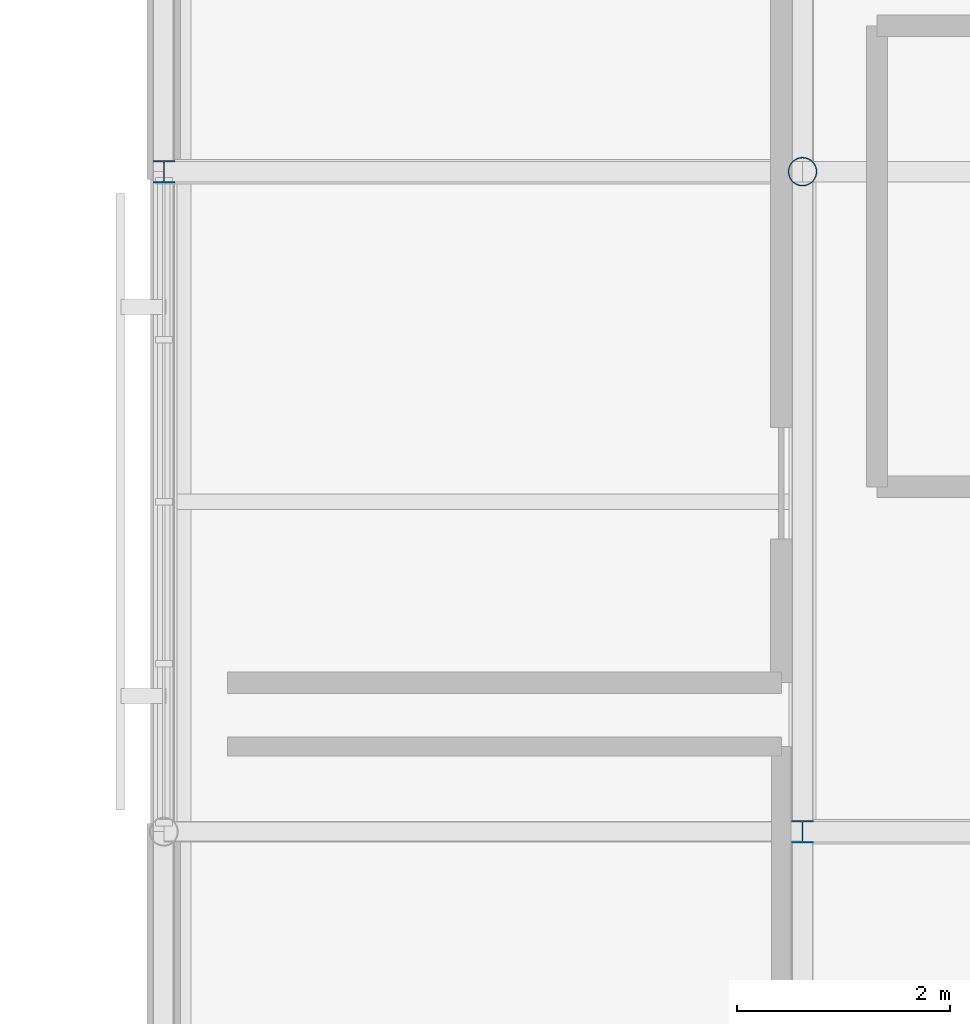
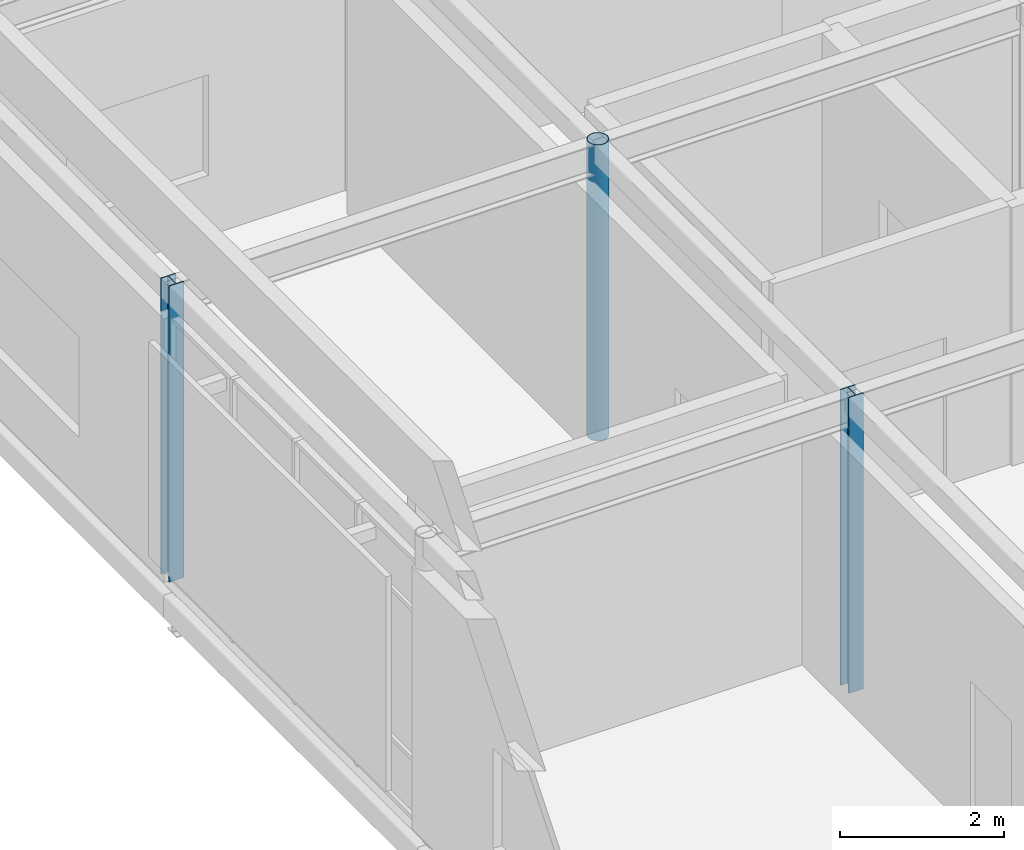
# One storey, part 2 of 16: 3 columns.
"""IFC4 building model written with IfcOpenShell, lengths in metres."""

from ifc_helpers import new_model, si_unit, direction, frame, origin, origin_2d, place, context, subcontext, project, spatial, hollow_circle, i_section, extrude, material, material_profile, profile_set, type_object, element, save


model = new_model("IFC4")

# Units and contexts
model_context = context("Model", 3, precision=1e-05, world=origin(), true_north=direction((0.0, 1.0)))
body_context = subcontext(model_context, "Body", "Model", "MODEL_VIEW")
ifc_project = project(units=[si_unit("LENGTHUNIT", "METRE"), si_unit("AREAUNIT", "SQUARE_METRE"), si_unit("VOLUMEUNIT", "CUBIC_METRE"), si_unit("PLANEANGLEUNIT", "RADIAN"), si_unit("MASSUNIT", "GRAM", prefix="KILO")], contexts=[model_context])

# Site, building, storey
site_placement = place(None, origin())
site = spatial("IfcSite", under=ifc_project, at=site_placement, CompositionType="ELEMENT")
building_placement = place(site_placement, origin())
building = spatial("IfcBuilding", under=site, at=building_placement, Name="Mirzam Square Science Centre", CompositionType="ELEMENT")
storey_placement = place(building_placement, frame((0.0, 0.0, 25.199951171875)))
storey = spatial("IfcBuildingStorey", under=building, at=storey_placement, Name="L05", CompositionType="ELEMENT", Elevation=25.199951171875)

# Columns
ifc_material = material(Name="Steel S355", Category="steel")
ifc_material_profile_1 = material_profile(ifc_material, hollow_circle(Radius=0.136474609375, WallThickness=0.010009765625, at=origin_2d()), Name="273.0x10.0CHS")
ifc_profile_set_1 = profile_set([ifc_material_profile_1], Name="Steel S355")
column_type_1 = type_object("IfcColumnType", Name="COL-CHS273", PredefinedType="COLUMN", material=ifc_profile_set_1)
column_placement = place(storey_placement, frame((120.0, 105.39990234375, 0.0), z_axis=(0.0, 0.0, 1.0), x_axis=(1.0, 0.0, 0.0)))
element("IfcColumn", 1, at=column_placement, inside=storey, type_object=column_type_1, Name="L05 column G21-18", PredefinedType="COLUMN", context=body_context, shape_type="SweptSolid", body=[
    extrude(hollow_circle(Radius=0.136474609375, WallThickness=0.010009765625, at=origin_2d()), origin(), (0.0, 0.0, 1.0), 4.41015625),
])
ifc_material_profile_2 = material_profile(ifc_material, i_section(OverallWidth=0.205810546875, OverallDepth=0.209716796875, WebThickness=0.009521484375, FlangeThickness=0.01416015625, FilletRadius=0.01025390625, at=origin_2d()), Name="203x203x60UC")
ifc_profile_set_2 = profile_set([ifc_material_profile_2], Name="Steel S355")
column_type_2 = type_object("IfcColumnType", Name="COL-UC203A", PredefinedType="COLUMN", material=ifc_profile_set_2)
for number, where, z_axis, x_axis, name in (
    (2, (114.0, 105.39990234375, 0.0), (0.0, 0.0, 1.0), (1.0, 0.0, 0.0), "L05 column G20-18"),
    (3, (120.0, 99.199951171875, 0.0), (0.0, 0.0, 1.0), (1.0, 0.0, 0.0), "L05 column G21-17"),
):
    element("IfcColumn", number, at=place(storey_placement, frame(where, z_axis=z_axis, x_axis=x_axis)), inside=storey, type_object=column_type_2, Name=name, PredefinedType="COLUMN", context=body_context, shape_type="SweptSolid", body=[
        extrude(i_section(OverallWidth=0.205810546875, OverallDepth=0.209716796875, WebThickness=0.009521484375, FlangeThickness=0.01416015625, FilletRadius=0.01025390625, at=origin_2d()), origin(), (0.0, 0.0, 1.0), 4.41015625),
    ])

save(model, "model.ifc")
